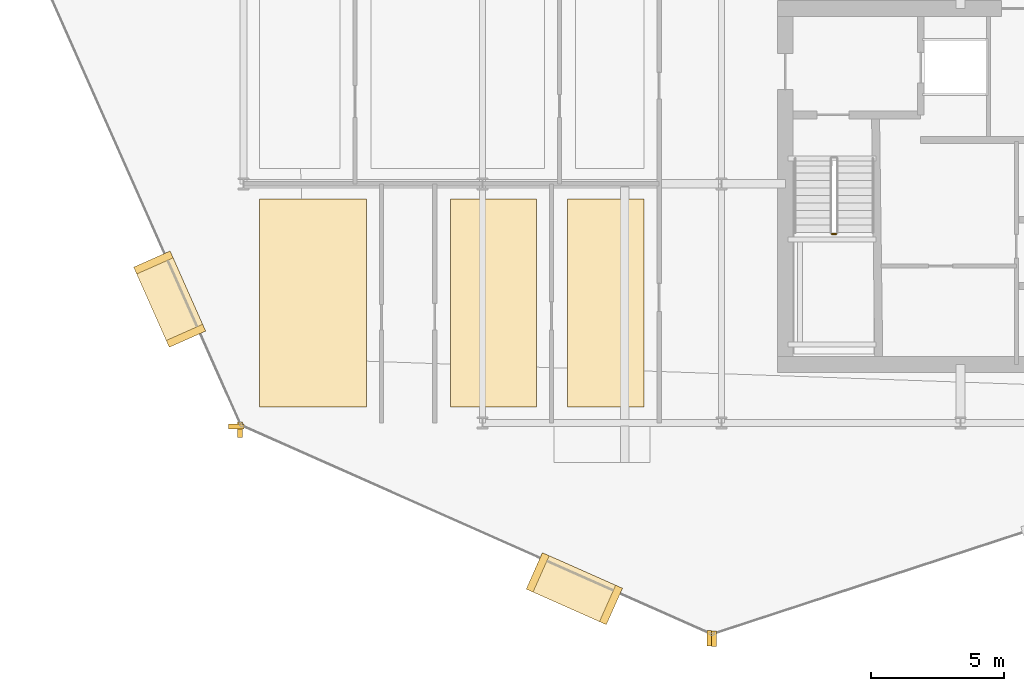
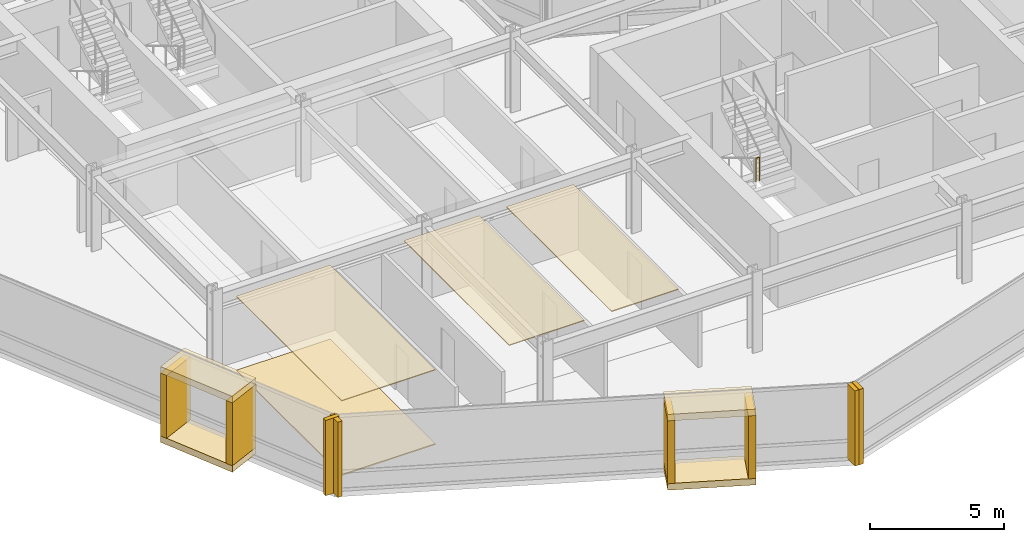
# One storey, part 25 of 29: 16 coverings, 1 railing.
"""IFC4 building model written with IfcOpenShell, lengths in metres."""

from ifc_helpers import new_model, si_unit, direction, frame, origin, origin_2d, place, context, subcontext, project, spatial, polyline, rectangle, circle, outline, extrude, material, layer, layer_set, type_object, element, save


model = new_model("IFC4")

# Units and contexts
model_context = context("Model", 3, precision=1e-05, world=origin(), true_north=direction((0.0, 1.0)))
body_context = subcontext(model_context, "Body", "Model", "MODEL_VIEW")
ifc_project = project(units=[si_unit("LENGTHUNIT", "METRE"), si_unit("AREAUNIT", "SQUARE_METRE"), si_unit("VOLUMEUNIT", "CUBIC_METRE"), si_unit("PLANEANGLEUNIT", "RADIAN"), si_unit("MASSUNIT", "GRAM", prefix="KILO")], contexts=[model_context])

# Site, building, storey
site_placement = place(None, origin())
site = spatial("IfcSite", under=ifc_project, at=site_placement, CompositionType="ELEMENT")
building_placement = place(site_placement, origin())
building = spatial("IfcBuilding", under=site, at=building_placement, Name="Solvaryn Broadcast Tower", CompositionType="ELEMENT")
storey_placement = place(building_placement, frame((0.0, 0.0, 124.800048828125)))
storey = spatial("IfcBuildingStorey", under=building, at=storey_placement, Name="L30", CompositionType="ELEMENT", Elevation=124.800048828125)

# Coverings
ifc_material_1 = material(Name="Micro-Perforated Acoustic Gypsum Ceiling", Category="concrete")
ifc_layer_1 = layer(ifc_material_1, 0.0400390625)
ifc_layer_set_1 = layer_set([ifc_layer_1], Name="CV-CEIL-ACOUSTIC")
covering_type_1 = type_object("IfcCoveringType", Name="CV-CEIL-ACOUSTIC", PredefinedType="CEILING", material=ifc_layer_set_1)
covering_1_placement = place(storey_placement, frame((0.0, 0.0, 3.3798828125)))
element("IfcCovering", 1, at=covering_1_placement, inside=storey, type_object=covering_type_1, Name="L30 Room Acoustic Ceiling 4", PredefinedType="CEILING", context=body_context, shape_type="SweptSolid", body=[
    extrude(outline(polyline([(9.60009765625, 9.60009765625), (13.6298828125, 9.60009765625), (13.6298828125, 17.429931640625), (9.60009765625, 17.429931640625), (9.60009765625, 9.60009765625)])), origin(), (0.0, 0.0, 1.0), 0.0400390625),
])
covering_2_placement = place(storey_placement, frame((0.0, 0.0, 3.3798828125)))
element("IfcCovering", 2, at=covering_2_placement, inside=storey, type_object=covering_type_1, Name="L30 Room Acoustic Ceiling 5", PredefinedType="CEILING", context=body_context, shape_type="SweptSolid", body=[
    extrude(outline(polyline([(16.800048828125, 9.60009765625), (20.030029296875, 9.60009765625), (20.030029296875, 17.429931640625), (16.800048828125, 17.429931640625), (16.800048828125, 9.60009765625)])), origin(), (0.0, 0.0, 1.0), 0.0400390625),
])
covering_3_placement = place(storey_placement, frame((0.0, 0.0, 3.3798828125)))
element("IfcCovering", 3, at=covering_3_placement, inside=storey, type_object=covering_type_1, Name="L30 Room Acoustic Ceiling 6", PredefinedType="CEILING", context=body_context, shape_type="SweptSolid", body=[
    extrude(outline(polyline([(21.199951171875, 9.60009765625), (24.080078125, 9.60009765625), (24.080078125, 17.429931640625), (21.199951171875, 17.429931640625), (21.199951171875, 9.60009765625)])), origin(), (0.0, 0.0, 1.0), 0.0400390625),
])
ifc_material_2 = material(Name="Newsroom Raised Data Access Flooring", Category="steel")
ifc_layer_2 = layer(ifc_material_2, 0.050048828125)
ifc_layer_set_2 = layer_set([ifc_layer_2], Name="CV-FLOOR-RAISED")
covering_type_2 = type_object("IfcCoveringType", Name="CV-FLOOR-RAISED", PredefinedType="FLOORING", material=ifc_layer_set_2)
covering_4_placement = place(storey_placement, origin())
element("IfcCovering", 4, at=covering_4_placement, inside=storey, type_object=covering_type_2, Name="L30 Room Acoustic Floor Finish 4", PredefinedType="FLOORING", context=body_context, shape_type="SweptSolid", body=[
    extrude(outline(polyline([(9.60009765625, 9.60009765625), (13.6298828125, 9.60009765625), (13.6298828125, 17.429931640625), (9.60009765625, 17.429931640625), (9.60009765625, 9.60009765625)])), origin(), (0.0, 0.0, 1.0), 0.050048828125),
])
ifc_material_3 = material(Name="Glazed Architectural Terracotta Rainscreen Cladding", Category="masonry")
ifc_layer_3 = layer(ifc_material_3, 0.280029296875)
ifc_layer_set_3 = layer_set([ifc_layer_3], Name="CV-TC-CLAD")
covering_type_3 = type_object("IfcCoveringType", Name="CV-TC-CLAD", PredefinedType="CLADDING", material=ifc_layer_set_3)
for number, where, z_axis, x_axis, name in (
    (5, (6.218994140625, 13.656982421875, 3.1298828125), (0.0, 0.0, 1.0), (0.405939269498, -0.913900054426, 0.0), "L30 Projecting Stone Window Box Hood 2"),
    (6, (6.218994140625, 13.656982421875, -0.01025390625), (0.0, 0.0, 1.0), (0.405939269498, -0.913900054426, 0.0), "L30 Projecting Stone Window Box Sill 2"),
):
    element("IfcCovering", number, at=place(storey_placement, frame(where, z_axis=z_axis, x_axis=x_axis)), inside=storey, type_object=covering_type_3, Name=name, PredefinedType="CLADDING", context=body_context, shape_type="SweptSolid", body=[
        extrude(rectangle(XDim=3.300048828125, YDim=1.5, at=origin_2d()), origin(), (0.0, 0.0, 1.0), 0.300048828125),
    ])
for number, where, z_axis, x_axis, name in (
    (7, (5.60595703125, 15.037109375, 0.27978515625), (0.0, 0.0, 1.0), (0.405939269498, -0.913900054426, 0.0), "L30 Projecting Stone Window Box Cheek 2-1"),
    (8, (6.83203125, 12.277099609375, 0.27978515625), (0.0, 0.0, 1.0), (0.405939269498, -0.913900054426, 0.0), "L30 Projecting Stone Window Box Cheek 2-2"),
):
    element("IfcCovering", number, at=place(storey_placement, frame(where, z_axis=z_axis, x_axis=x_axis)), inside=storey, type_object=covering_type_3, Name=name, PredefinedType="CLADDING", context=body_context, shape_type="SweptSolid", body=[
        extrude(rectangle(XDim=0.280029296875, YDim=1.5, at=origin_2d()), origin(), (0.0, 0.0, 1.0), 2.860107421875),
    ])
for number, where, z_axis, x_axis, name in (
    (9, (21.45703125, 2.75390625, 3.1298828125), (0.0, 0.0, 1.0), (0.913900054426, -0.405939269498, 0.0), "L30 Projecting Stone Window Box Hood 3"),
    (10, (21.45703125, 2.75390625, -0.01025390625), (0.0, 0.0, 1.0), (0.913900054426, -0.405939269498, 0.0), "L30 Projecting Stone Window Box Sill 3"),
):
    element("IfcCovering", number, at=place(storey_placement, frame(where, z_axis=z_axis, x_axis=x_axis)), inside=storey, type_object=covering_type_3, Name=name, PredefinedType="CLADDING", context=body_context, shape_type="SweptSolid", body=[
        extrude(rectangle(XDim=3.300048828125, YDim=1.5, at=origin_2d()), origin(), (0.0, 0.0, 1.0), 0.300048828125),
    ])
for number, where, z_axis, x_axis, name in (
    (11, (20.076904296875, 3.366943359375, 0.27978515625), (0.0, 0.0, 1.0), (0.913900054426, -0.405939269498, 0.0), "L30 Projecting Stone Window Box Cheek 3-1"),
    (12, (22.8369140625, 2.14111328125, 0.27978515625), (0.0, 0.0, 1.0), (0.913900054426, -0.405939269498, 0.0), "L30 Projecting Stone Window Box Cheek 3-2"),
):
    element("IfcCovering", number, at=place(storey_placement, frame(where, z_axis=z_axis, x_axis=x_axis)), inside=storey, type_object=covering_type_3, Name=name, PredefinedType="CLADDING", context=body_context, shape_type="SweptSolid", body=[
        extrude(rectangle(XDim=0.280029296875, YDim=1.5, at=origin_2d()), origin(), (0.0, 0.0, 1.0), 2.860107421875),
    ])
ifc_material_4 = material(Name="Extruded Architectural Terracotta Fin", Category="masonry")
ifc_layer_4 = layer(ifc_material_4, 0.179931640625)
ifc_layer_set_4 = layer_set([ifc_layer_4], Name="CV-TC-FIN")
covering_type_4 = type_object("IfcCoveringType", Name="CV-TC-FIN", PredefinedType="USERDEFINED", material=ifc_layer_set_4)
covering_5_placement = place(storey_placement, frame((8.731689453125, 8.86279296875, 0.0), z_axis=(0.0, 0.0, 1.0), x_axis=(1.0, 0.0, 0.0)))
element("IfcCovering", 13, at=covering_5_placement, inside=storey, type_object=covering_type_4, Name="L30 Terracotta Vertical Fin FIN-L30-DR2-M01", ObjectType="FIN", PredefinedType="USERDEFINED", context=body_context, shape_type="SweptSolid", body=[
    extrude(rectangle(XDim=0.580078125, YDim=0.179931640625, at=origin_2d()), origin(), (0.0, 0.0, 1.0), 3.419921875),
])
for number, where, z_axis, x_axis, name in (
    (14, (8.86279296875, 8.731689453125, 0.0), (0.0, 0.0, 1.0), (1.0, 0.0, 0.0), "L30 Terracotta Vertical Fin FIN-L30-DR3-M00"),
    (15, (26.535888671875, 0.8818359375, 0.0), (0.0, 0.0, 1.0), (1.0, 0.0, 0.0), "L30 Terracotta Vertical Fin FIN-L30-DR3-M01"),
    (16, (26.720703125, 0.872314453125, 0.0), (0.0, 0.0, 1.0), (1.0, 0.0, 0.0), "L30 Terracotta Vertical Fin FIN-L30-DR4-M00"),
):
    element("IfcCovering", number, at=place(storey_placement, frame(where, z_axis=z_axis, x_axis=x_axis)), inside=storey, type_object=covering_type_4, Name=name, ObjectType="FIN", PredefinedType="USERDEFINED", context=body_context, shape_type="SweptSolid", body=[
        extrude(rectangle(XDim=0.179931640625, YDim=0.580078125, at=origin_2d()), origin(), (0.0, 0.0, 1.0), 3.419921875),
    ])

# Railing
ifc_material_5 = material(Name="Painted Steel Stair Well Guard", Category="steel")
railing_type = type_object("IfcRailingType", Name="RL-STAIR-GUARD", PredefinedType="BALUSTRADE", material=ifc_material_5)
railing_placement = place(storey_placement, frame((31.159912109375, 16.110107421875, 1.849853515625)))
element("IfcRailing", 17, at=railing_placement, inside=storey, type_object=railing_type, Name="L30 ST3 stair guard 2", PredefinedType="BALUSTRADE", context=body_context, shape_type="SweptSolid", body=[
    extrude(circle(Radius=0.02392578125, at=origin_2d()), frame((0.0, 0.0, 1.076171875), z_axis=(1.0, 0.0, 0.0), x_axis=(0.0, 1.0, 0.0)), (0.0, 0.0, 1.0), 0.150146484375),
    extrude(circle(Radius=0.02099609375, at=origin_2d()), origin(), (0.0, 0.0, 1.0), 1.052001953125),
    extrude(circle(Radius=0.02099609375, at=origin_2d()), frame((0.150146484375, 0.0, 0.0)), (0.0, 0.0, 1.0), 1.052001953125),
])

save(model, "model.ifc")
